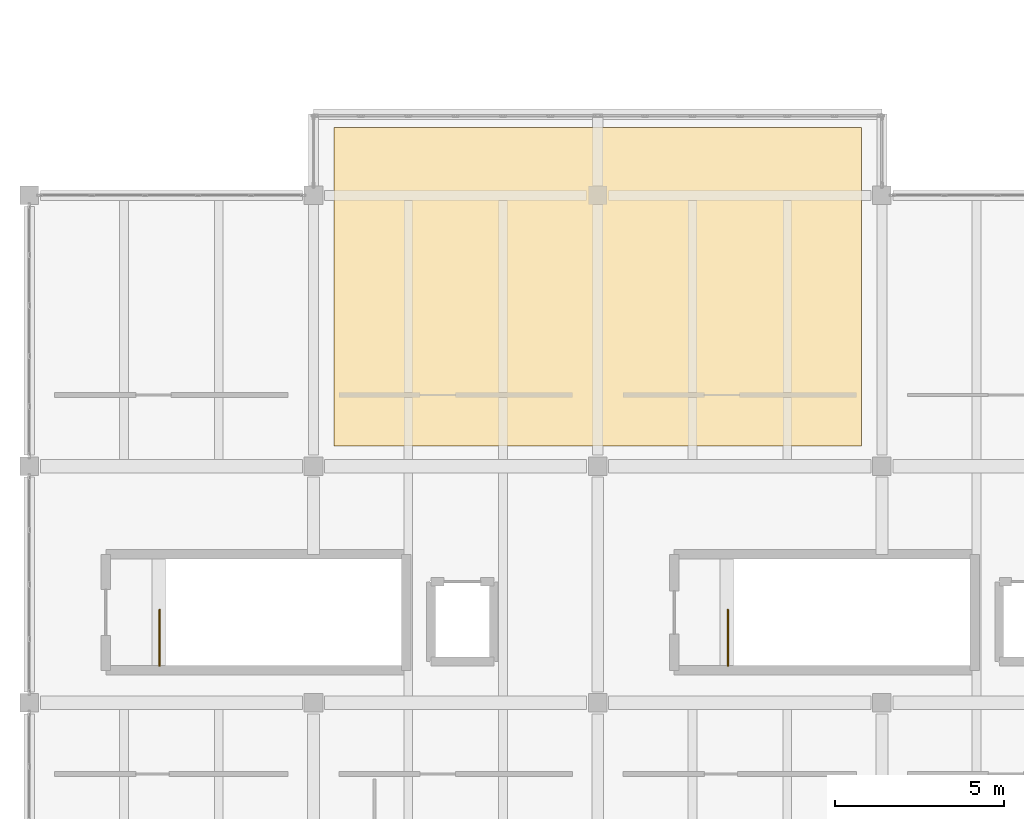
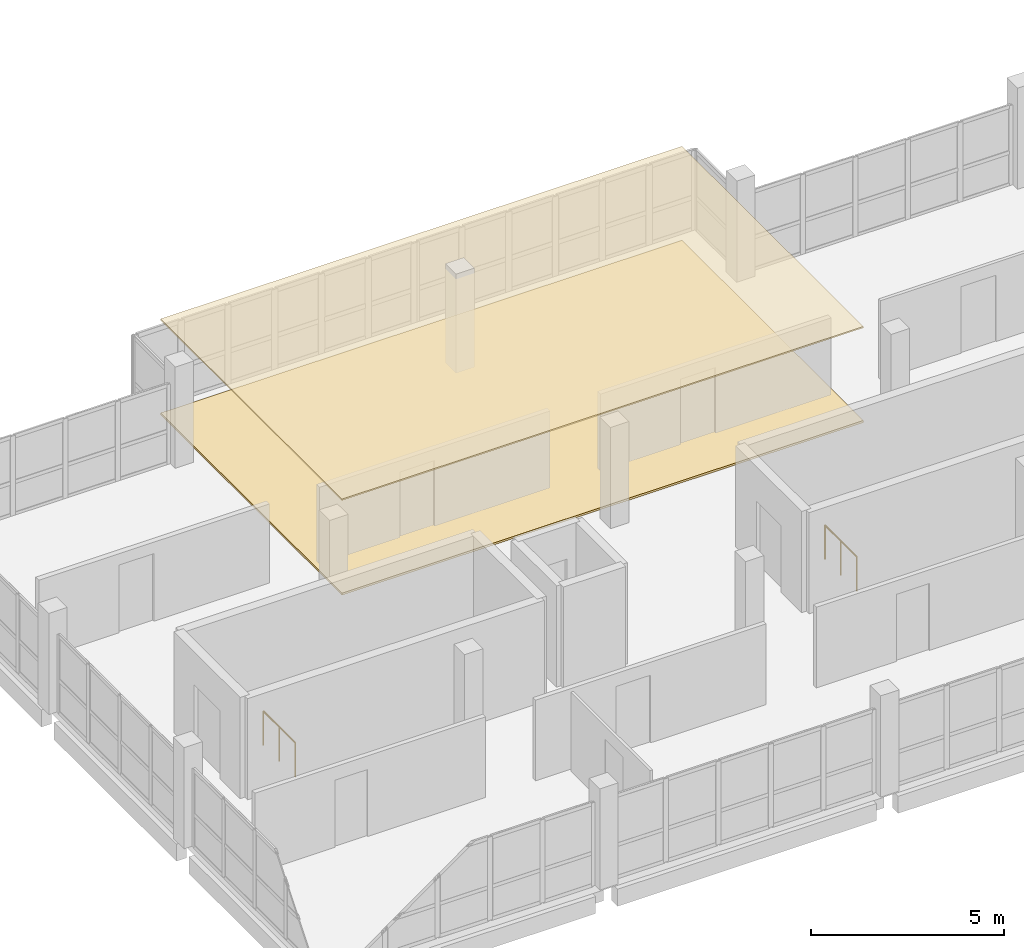
# One storey, part 24 of 24: 2 coverings, 2 railings.
"""IFC4 building model written with IfcOpenShell, lengths in metres."""

from ifc_helpers import new_model, si_unit, direction, frame, origin, origin_2d, place, context, subcontext, project, spatial, polyline, circle, outline, extrude, material, layer, layer_set, type_object, element, save


model = new_model("IFC4")

# Units and contexts
model_context = context("Model", 3, precision=1e-05, world=origin(), true_north=direction((0.0, 1.0)))
body_context = subcontext(model_context, "Body", "Model", "MODEL_VIEW")
ifc_project = project(units=[si_unit("LENGTHUNIT", "METRE"), si_unit("AREAUNIT", "SQUARE_METRE"), si_unit("VOLUMEUNIT", "CUBIC_METRE"), si_unit("PLANEANGLEUNIT", "RADIAN"), si_unit("MASSUNIT", "GRAM", prefix="KILO"), si_unit("THERMODYNAMICTEMPERATUREUNIT", "KELVIN"), si_unit("POWERUNIT", "WATT")], contexts=[model_context])

# Site, building, storey
site_placement = place(None, origin())
site = spatial("IfcSite", under=ifc_project, at=site_placement, CompositionType="ELEMENT")
building_placement = place(site_placement, origin())
building = spatial("IfcBuilding", under=site, at=building_placement, Name="Mavoryth Pier Ferry Terminal", CompositionType="ELEMENT")
storey_placement = place(building_placement, frame((0.0, 0.0, 16.320068359375)))
storey = spatial("IfcBuildingStorey", under=building, at=storey_placement, Name="L04", CompositionType="ELEMENT", Elevation=16.320068359375)

# Coverings
ifc_material_1 = material(Name="Perforated Acoustic Aluminium Ceiling Baffle", Category="aluminium")
ifc_layer_1 = layer(ifc_material_1, 0.044921875, Name="Perforated Acoustic Aluminium Ceiling Baffle", Category="aluminium")
ifc_layer_set_1 = layer_set([ifc_layer_1], Name="Perforated Acoustic Aluminium Ceiling Baffle - Ceil-AcousticBaffle-45")
covering_type_1 = type_object("IfcCoveringType", Name="Ceil-AcousticBaffle-45", PredefinedType="CEILING", material=ifc_layer_set_1)
covering_1_placement = place(storey_placement, frame((0.0, 0.0, 2.994873046875)))
element("IfcCovering", 1, at=covering_1_placement, inside=storey, type_object=covering_type_1, Name="Covering COV-L04-016", PredefinedType="CEILING", context=body_context, shape_type="SweptSolid", body=[
    extrude(outline(polyline([(51.0, 14.60009765625), (66.60009765625, 14.60009765625), (66.60009765625, 24.0), (51.0, 24.0), (51.0, 14.60009765625)])), origin(), (0.0, 0.0, 1.0), 0.045166015625),
])
ifc_material_2 = material(Name="Anti-Static Raised Control-Room Access Floor")
ifc_layer_2 = layer(ifc_material_2, 0.06494140625, Name="Anti-Static Raised Control-Room Access Floor")
ifc_layer_set_2 = layer_set([ifc_layer_2], Name="Anti-Static Raised Control-Room Access Floor - Floor-RaisedAccess-65")
covering_type_2 = type_object("IfcCoveringType", Name="Floor-RaisedAccess-65", PredefinedType="FLOORING", material=ifc_layer_set_2)
covering_2_placement = place(storey_placement, origin())
element("IfcCovering", 2, at=covering_2_placement, inside=storey, type_object=covering_type_2, Name="Covering COV-L04-015", PredefinedType="FLOORING", context=body_context, shape_type="SweptSolid", body=[
    extrude(outline(polyline([(51.0, 14.60009765625), (66.60009765625, 14.60009765625), (66.60009765625, 24.0), (51.0, 24.0), (51.0, 14.60009765625)])), origin(), (0.0, 0.0, 1.0), 0.06494140625),
])

# Railings
ifc_material_3 = material(Name="Painted Galvanised Steel Balustrade", Category="steel")
railing_type = type_object("IfcRailingType", Name="Guard-Stair-Steel1100", PredefinedType="GUARDRAIL", material=ifc_material_3)
for number, where, name in (
    (3, (45.85009765625, 8.10009765625, 0.0), "L04 ST11 top well guard 1"),
    (4, (62.64990234375, 8.10009765625, 0.0), "L04 ST12 top well guard 1"),
):
    element("IfcRailing", number, at=place(storey_placement, frame(where)), inside=storey, type_object=railing_type, Name=name, PredefinedType="GUARDRAIL", context=body_context, shape_type="SweptSolid", body=[
        extrude(circle(Radius=0.02392578125, at=origin_2d()), frame((0.0, 0.0, 1.076171875), z_axis=(0.0, 1.0, 0.0), x_axis=(-1.0, 0.0, 0.0)), (0.0, 0.0, 1.0), 1.64990234375),
        extrude(circle(Radius=0.02099609375, at=origin_2d()), origin(), (0.0, 0.0, 1.0), 1.052001953125),
        extrude(circle(Radius=0.02099609375, at=origin_2d()), frame((0.0, 0.824951171875, 0.0)), (0.0, 0.0, 1.0), 1.052001953125),
        extrude(circle(Radius=0.02099609375, at=origin_2d()), frame((0.0, 1.64990234375, 0.0)), (0.0, 0.0, 1.0), 1.052001953125),
    ])

save(model, "model.ifc")
